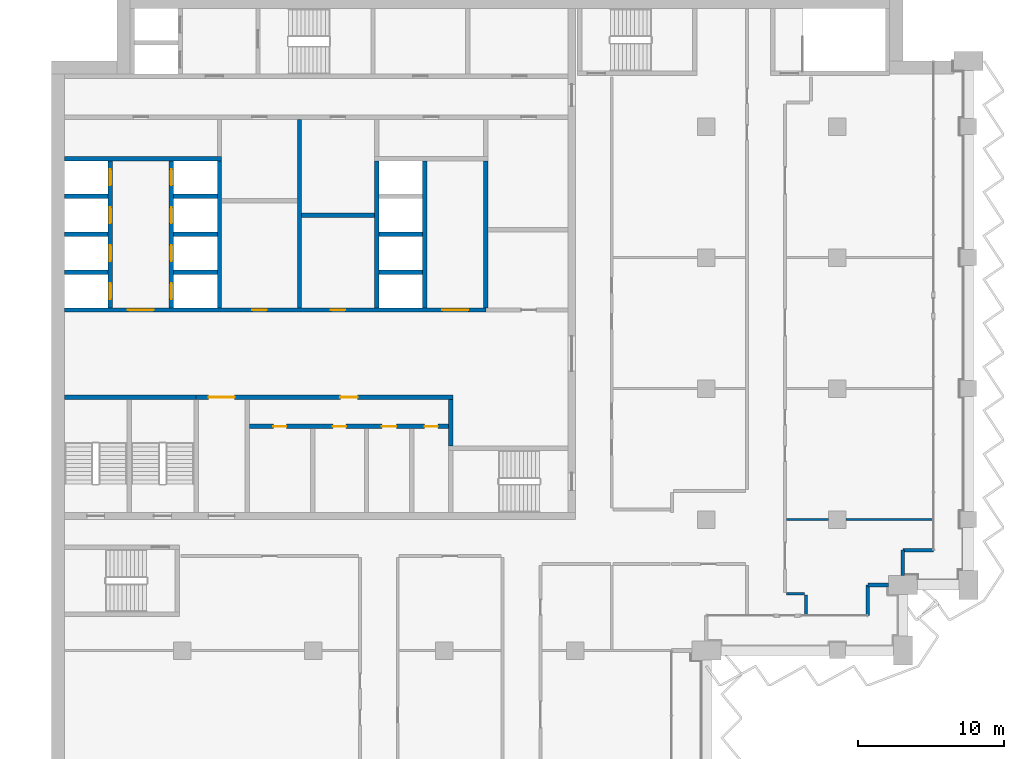
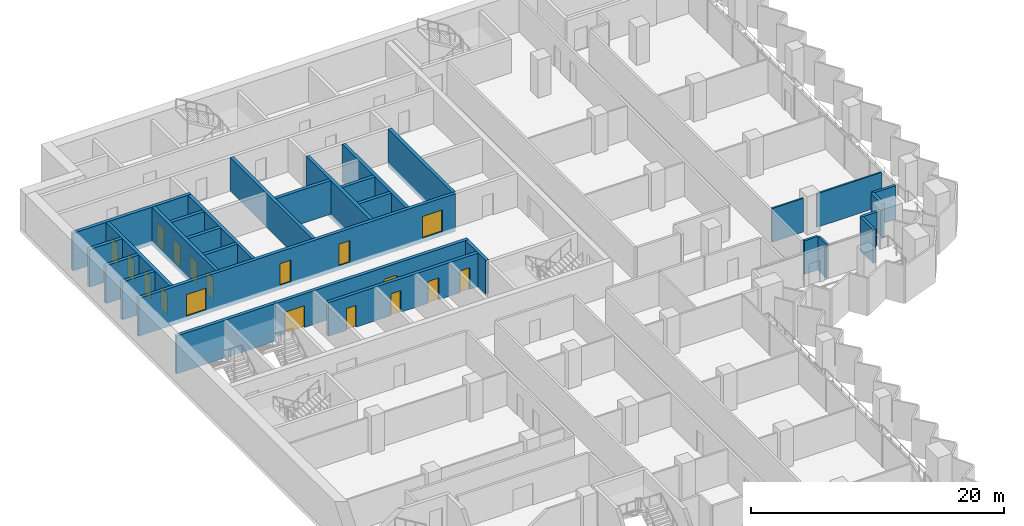
# One storey, part 13 of 22: 30 walls, 18 doors, 18 openings.
"""IFC4 building model written with IfcOpenShell, lengths in metres."""

import ifcopenshell
import ifcopenshell.guid

model = None  # the IFC model being written
_history = None  # IfcOwnerHistory: only IFC2X3 demands one
_inside = {}  # id of a spatial element -> (the spatial element, [elements in it])
_under = {}  # id of a project, library or spatial element -> (it, [spatial elements below it])
_declared = {}  # id of a project -> (the project, [libraries it declares])
_typed = {}  # id of a type object -> (the type object, [elements of that type])
_made_of = {}  # id of a material, layer set ... -> (it, [elements and type objects made of it])


def new_model(schema):
    """Start an empty IFC model of exactly this schema.

    Asked for "IFC4X3", IfcOpenShell would pick the latest addendum, in which some entities
    have other attributes; the version numbers below select the first issue.
    IFC2X3 requires an IfcOwnerHistory on every rooted entity: one is made here for all.
    """
    global model, _history
    if schema == "IFC4X3":
        model = ifcopenshell.file(schema_version=(4, 3, 0, 0))
    else:
        model = ifcopenshell.file(schema=schema)
    _inside.clear()
    _under.clear()
    _declared.clear()
    _typed.clear()
    _made_of.clear()
    _history = None
    if model.schema == "IFC2X3":
        org = make("IfcOrganization", Name="unknown")
        user = make(
            "IfcPersonAndOrganization",
            ThePerson=make("IfcPerson", FamilyName="unknown"),
            TheOrganization=org,
        )
        app = make(
            "IfcApplication",
            ApplicationDeveloper=org,
            Version="unknown",
            ApplicationFullName="unknown",
            ApplicationIdentifier="unknown",
        )
        _history = make(
            "IfcOwnerHistory",
            OwningUser=user,
            OwningApplication=app,
            ChangeAction="ADDED",
            CreationDate=0,
        )
    return model


def make(cls, **values):
    """One entity of the class cls with the attributes given. An attribute that is None is left unset."""
    return model.create_entity(
        cls, **{name: value for name, value in values.items() if value is not None}
    )


def rooted(cls, **values):
    """An entity with a GlobalId (a new one), such as an element, a storey or a relation."""
    return make(cls, GlobalId=ifcopenshell.guid.new(), OwnerHistory=_history, **values)


def si_unit(unit_type, name, prefix=None):
    """IfcSIUnit, for example si_unit("LENGTHUNIT", "METRE", prefix="MILLI")."""
    return make("IfcSIUnit", UnitType=unit_type, Prefix=prefix, Name=name)


def assignment(units):
    """IfcUnitAssignment: the units of a project."""
    return None if units is None else make("IfcUnitAssignment", Units=units)


def point(xyz):
    """IfcCartesianPoint."""
    return None if xyz is None else make("IfcCartesianPoint", Coordinates=xyz)


def direction(xyz):
    """IfcDirection."""
    return None if xyz is None else make("IfcDirection", DirectionRatios=xyz)


def frame(location, z_axis=None, x_axis=None):
    """IfcAxis2Placement3D, a coordinate frame: its origin and axes. An axis left out is left unset."""
    return make(
        "IfcAxis2Placement3D",
        Location=point(location),
        Axis=direction(z_axis),
        RefDirection=direction(x_axis),
    )


def frame_2d(location, x_axis=None):
    """IfcAxis2Placement2D, a coordinate frame in the plane: its origin and x axis."""
    return make(
        "IfcAxis2Placement2D", Location=point(location), RefDirection=direction(x_axis)
    )


def origin():
    """The frame at (0, 0, 0) with its axes left unset."""
    return frame((0.0, 0.0, 0.0))


def place(relative_to, where):
    """IfcLocalPlacement: puts the frame where relative to a parent placement (None: the world)."""
    return make(
        "IfcLocalPlacement", PlacementRelTo=relative_to, RelativePlacement=where
    )


def context(
    kind, dimensions, precision=None, world=None, true_north=None, identifier=None
):
    """IfcGeometricRepresentationContext, for example the 3D "Model" context."""
    return make(
        "IfcGeometricRepresentationContext",
        ContextIdentifier=identifier,
        ContextType=kind,
        CoordinateSpaceDimension=dimensions,
        Precision=precision,
        WorldCoordinateSystem=world,
        TrueNorth=true_north,
    )


def subcontext(parent, identifier, kind, view, scale=None):
    """IfcGeometricRepresentationSubContext, for example "Body" below "Model"."""
    return make(
        "IfcGeometricRepresentationSubContext",
        ContextIdentifier=identifier,
        ContextType=kind,
        ParentContext=parent,
        TargetScale=scale,
        TargetView=view,
    )


def project(units=None, contexts=None):
    """IfcProject with its units and contexts."""
    return rooted(
        "IfcProject",
        Name="project",
        RepresentationContexts=contexts,
        UnitsInContext=assignment(units),
    )


def spatial(cls, under=None, at=None, **own):
    """A site, building, storey or space (cls), placed at a placement, below another one or the project."""
    s = rooted(cls, ObjectPlacement=at, **own)
    if under is not None:
        _under.setdefault(under.id(), (under, []))[1].append(s)
    return s


def profile(cls, at=None, kind="AREA", **sizes):
    """A parametric profile (cls). Its sizes go by their IFC names, for example OverallWidth=200.0."""
    return make(cls, ProfileType=kind, Position=at, **sizes)


def rectangle(**sizes):
    """IfcRectangleProfileDef."""
    return profile("IfcRectangleProfileDef", **sizes)


def extrude(swept, where, along, depth):
    """IfcExtrudedAreaSolid: the profile swept, set in the frame where, extruded along a direction by depth."""
    return make(
        "IfcExtrudedAreaSolid",
        SweptArea=swept,
        Position=where,
        ExtrudedDirection=direction(along),
        Depth=depth,
    )


def shape(context_of_items, identifier, shape_type, items):
    """IfcShapeRepresentation: the items that make up one representation, for example the "Body"."""
    return make(
        "IfcShapeRepresentation",
        ContextOfItems=context_of_items,
        RepresentationIdentifier=identifier,
        RepresentationType=shape_type,
        Items=items,
    )


def material(Name=None, Category=None):
    """IfcMaterial."""
    return make("IfcMaterial", Name=Name, Category=Category)


def layer(
    of_material, thickness, ventilated=None, Name=None, Category=None, Priority=None
):
    """IfcMaterialLayer: one layer of a wall or slab, of a material (None: an air gap)."""
    return make(
        "IfcMaterialLayer",
        Material=of_material,
        LayerThickness=thickness,
        IsVentilated=ventilated,
        Name=Name,
        Category=Category,
        Priority=Priority,
    )


def layer_set(layers, Name=None):
    """IfcMaterialLayerSet."""
    return make("IfcMaterialLayerSet", MaterialLayers=layers, LayerSetName=Name)


def made_of(thing, what):
    """Note that an element or type object is made of a material, layer set ...; save() writes the relation."""
    if what is not None:
        _made_of.setdefault(what.id(), (what, []))[1].append(thing)
    return thing


def type_object(cls, material=None, **own):
    """A type object (cls), such as IfcWallType, which elements share."""
    return made_of(rooted(cls, **own), material)


def element(
    cls,
    number,
    at=None,
    inside=None,
    cuts=None,
    type_object=None,
    material=None,
    context=None,
    identifier="Body",
    shape_type=None,
    held_by="IfcProductDefinitionShape",
    body=None,
    shapes=None,
    **own,
):
    """One element of the class cls, such as IfcWall. Its Tag is "e" and its number.

    at: its placement. inside: the storey or other place that contains it. cuts: it is an
    opening in that element (IfcRelVoidsElement). A single representation is given by context,
    identifier, shape_type and body (its items); several are given by shapes. held_by: the class
    of the entity that holds the representations. save() writes the other relations.
    """
    e = rooted(cls, Tag="e%d" % number, ObjectPlacement=at, **own)
    if body is not None:
        shapes = [shape(context, identifier, shape_type, body)]
    if shapes is not None:
        e.Representation = make(held_by, Representations=shapes)
    if inside is not None:
        _inside.setdefault(inside.id(), (inside, []))[1].append(e)
    if cuts is not None:
        rooted(
            "IfcRelVoidsElement", RelatingBuildingElement=cuts, RelatedOpeningElement=e
        )
    if type_object is not None:
        _typed.setdefault(type_object.id(), (type_object, []))[1].append(e)
    return made_of(e, material)


def fill(opening, filler):
    """IfcRelFillsElement: the door or window that sits in an opening."""
    return rooted(
        "IfcRelFillsElement",
        RelatingOpeningElement=opening,
        RelatedBuildingElement=filler,
    )


def aggregate(whole, parts):
    """IfcRelAggregates: a whole, such as a stair, and the parts it consists of."""
    return rooted("IfcRelAggregates", RelatingObject=whole, RelatedObjects=parts)


def save(model, path):
    """Write the relations noted so far, then the file.

    IfcRelAggregates (storeys below a building ...), IfcRelContainedInSpatialStructure (elements
    in a storey), IfcRelDefinesByType, IfcRelAssociatesMaterial and IfcRelDeclares: one each for
    every whole, place, type object, material and project.
    """
    for whole, parts in _under.values():
        aggregate(whole, parts)
    for where, things in _inside.values():
        rooted(
            "IfcRelContainedInSpatialStructure",
            RelatedElements=things,
            RelatingStructure=where,
        )
    for kind, things in _typed.values():
        rooted("IfcRelDefinesByType", RelatedObjects=things, RelatingType=kind)
    for what, things in _made_of.values():
        rooted("IfcRelAssociatesMaterial", RelatedObjects=things, RelatingMaterial=what)
    for by, libraries in _declared.values():
        rooted("IfcRelDeclares", RelatingContext=by, RelatedDefinitions=libraries)
    model.write(path)


model = new_model("IFC4")

# Units and contexts
model_context = context("Model", 3, precision=1e-05, world=origin(), true_north=direction((0.0, 1.0)))
body_context = subcontext(model_context, "Body", "Model", "MODEL_VIEW")
ifc_project = project(units=[si_unit("LENGTHUNIT", "METRE"), si_unit("AREAUNIT", "SQUARE_METRE"), si_unit("VOLUMEUNIT", "CUBIC_METRE"), si_unit("PLANEANGLEUNIT", "RADIAN"), si_unit("MASSUNIT", "GRAM", prefix="KILO")], contexts=[model_context])

# Site, building, storey
site_placement = place(None, origin())
site = spatial("IfcSite", under=ifc_project, at=site_placement, CompositionType="ELEMENT")
building_placement = place(site_placement, origin())
building = spatial("IfcBuilding", under=site, at=building_placement, Name="Hunhe Ridgeline Campus", CompositionType="ELEMENT")
storey_placement = place(building_placement, frame((0.0, 0.0, 174.5)))
storey = spatial("IfcBuildingStorey", under=building, at=storey_placement, Name="L44", CompositionType="ELEMENT", Elevation=174.5)

# Wall, openings, doors
ifc_material_1 = material(Name="Masonry concrete blockwork", Category="masonry")
ifc_layer_1 = layer(ifc_material_1, 0.300048828125)
ifc_layer_set_1 = layer_set([ifc_layer_1], Name="Core room partition 300 concrete block")
wall_type_1 = type_object("IfcWallType", Name="Core room partition 300 concrete block", PredefinedType="PARTITIONING", material=ifc_layer_set_1)
wall_1_placement = place(storey_placement, frame((13.60009765625, 69.39990234375, 0.0), z_axis=(0.0, 0.0, 1.0), x_axis=(1.0, 0.0, 0.0)))
wall_1 = element("IfcWall", 1, at=wall_1_placement, inside=storey, type_object=wall_type_1, Name="L44 core partition 9", PredefinedType="PARTITIONING", context=body_context, shape_type="SweptSolid", body=[
    extrude(rectangle(XDim=13.699951171875, YDim=0.300048828125, at=frame_2d((6.85009765625, 0.0))), origin(), (0.0, 0.0, 1.0), 3.25),
])
opening_1_placement = place(wall_1_placement, frame((1.64990234375, 0.0, 0.0)))
opening_1 = element("IfcOpeningElement", 2, at=opening_1_placement, cuts=wall_1, Name="Opening CD8", PredefinedType="OPENING", context=body_context, shape_type="SweptSolid", body=[
    extrude(rectangle(XDim=0.89990234375, YDim=2.10009765625, at=frame_2d((0.449951171875, 1.050048828125))), frame((0.0, 0.14990234375, 0.0), z_axis=(0.0, -1.0, 0.0), x_axis=(1.0, 0.0, 0.0)), (0.0, 0.0, 1.0), 0.300048828125),
])
opening_2_placement = place(wall_1_placement, frame((5.75, 0.0, 0.0)))
opening_2 = element("IfcOpeningElement", 3, at=opening_2_placement, cuts=wall_1, Name="Opening CD9", PredefinedType="OPENING", context=body_context, shape_type="SweptSolid", body=[
    extrude(rectangle(XDim=0.89990234375, YDim=2.10009765625, at=frame_2d((0.449951171875, 1.050048828125))), frame((0.0, 0.14990234375, 0.0), z_axis=(0.0, -1.0, 0.0), x_axis=(1.0, 0.0, 0.0)), (0.0, 0.0, 1.0), 0.300048828125),
])
opening_3_placement = place(wall_1_placement, frame((9.10009765625, 0.0, 0.0)))
opening_3 = element("IfcOpeningElement", 4, at=opening_3_placement, cuts=wall_1, Name="Opening CD10", PredefinedType="OPENING", context=body_context, shape_type="SweptSolid", body=[
    extrude(rectangle(XDim=1.0, YDim=2.10009765625, at=frame_2d((0.5, 1.050048828125))), frame((0.0, 0.14990234375, 0.0), z_axis=(0.0, -1.0, 0.0), x_axis=(1.0, 0.0, 0.0)), (0.0, 0.0, 1.0), 0.300048828125),
])
opening_4_placement = place(wall_1_placement, frame((12.050048828125, 0.0, 0.0)))
opening_4 = element("IfcOpeningElement", 5, at=opening_4_placement, cuts=wall_1, Name="Opening CD11", PredefinedType="OPENING", context=body_context, shape_type="SweptSolid", body=[
    extrude(rectangle(XDim=0.89990234375, YDim=2.10009765625, at=frame_2d((0.449951171875, 1.050048828125))), frame((0.0, 0.14990234375, 0.0), z_axis=(0.0, -1.0, 0.0), x_axis=(1.0, 0.0, 0.0)), (0.0, 0.0, 1.0), 0.300048828125),
])
ifc_material_2 = material(Name="Solid core timber door leaf", Category="wood")
door_type_1 = type_object("IfcDoorType", Name="Timber door 1000x2100", OperationType="SINGLE_SWING_LEFT", PredefinedType="DOOR", material=ifc_material_2)
door_1_placement = place(opening_3_placement, frame((1.0, 0.0, 0.0), z_axis=(0.0, 0.0, 1.0), x_axis=(-1.0, 0.0, 0.0)))
door_1 = element("IfcDoor", 6, at=door_1_placement, inside=storey, type_object=door_type_1, Name="L44 door WC3", OperationType="SINGLE_SWING_RIGHT", OverallHeight=2.10009765625, OverallWidth=1.0, PredefinedType="DOOR", context=body_context, shape_type="SweptSolid", body=[
    extrude(rectangle(XDim=1.0, YDim=2.10009765625, at=frame_2d((0.5, 1.050048828125))), frame((0.0, 0.02490234375, 0.0), z_axis=(0.0, -1.0, 0.0), x_axis=(1.0, 0.0, 0.0)), (0.0, 0.0, 1.0), 0.050048828125),
])
fill(opening_3, door_1)
door_type_2 = type_object("IfcDoorType", Name="Timber door 900x2100", OperationType="SINGLE_SWING_LEFT", PredefinedType="DOOR", material=ifc_material_2)
door_2_placement = place(opening_1_placement, frame((0.89990234375, 0.0, 0.0), z_axis=(0.0, 0.0, 1.0), x_axis=(-1.0, 0.0, 0.0)))
door_2 = element("IfcDoor", 7, at=door_2_placement, inside=storey, type_object=door_type_2, Name="L44 door WC1", OperationType="SINGLE_SWING_RIGHT", OverallHeight=2.10009765625, OverallWidth=0.89990234375, PredefinedType="DOOR", context=body_context, shape_type="SweptSolid", body=[
    extrude(rectangle(XDim=0.89990234375, YDim=2.10009765625, at=frame_2d((0.449951171875, 1.050048828125))), frame((0.0, 0.02490234375, 0.0), z_axis=(0.0, -1.0, 0.0), x_axis=(1.0, 0.0, 0.0)), (0.0, 0.0, 1.0), 0.050048828125),
])
fill(opening_1, door_2)
door_3_placement = place(opening_2_placement, frame((0.89990234375, 0.0, 0.0), z_axis=(0.0, 0.0, 1.0), x_axis=(-1.0, 0.0, 0.0)))
door_3 = element("IfcDoor", 8, at=door_3_placement, inside=storey, type_object=door_type_2, Name="L44 door WC2", OperationType="SINGLE_SWING_LEFT", OverallHeight=2.10009765625, OverallWidth=0.89990234375, PredefinedType="DOOR", context=body_context, shape_type="SweptSolid", body=[
    extrude(rectangle(XDim=0.89990234375, YDim=2.10009765625, at=frame_2d((0.449951171875, 1.050048828125))), frame((0.0, 0.02490234375, 0.0), z_axis=(0.0, -1.0, 0.0), x_axis=(1.0, 0.0, 0.0)), (0.0, 0.0, 1.0), 0.050048828125),
])
fill(opening_2, door_3)
door_4_placement = place(opening_4_placement, frame((0.89990234375, 0.0, 0.0), z_axis=(0.0, 0.0, 1.0), x_axis=(-1.0, 0.0, 0.0)))
door_4 = element("IfcDoor", 9, at=door_4_placement, inside=storey, type_object=door_type_2, Name="L44 door WC4", OperationType="SINGLE_SWING_LEFT", OverallHeight=2.10009765625, OverallWidth=0.89990234375, PredefinedType="DOOR", context=body_context, shape_type="SweptSolid", body=[
    extrude(rectangle(XDim=0.89990234375, YDim=2.10009765625, at=frame_2d((0.449951171875, 1.050048828125))), frame((0.0, 0.02490234375, 0.0), z_axis=(0.0, -1.0, 0.0), x_axis=(1.0, 0.0, 0.0)), (0.0, 0.0, 1.0), 0.050048828125),
])
fill(opening_4, door_4)

wall_2_placement = place(storey_placement, frame((9.949951171875, 71.39990234375, 0.0), z_axis=(0.0, 0.0, 1.0), x_axis=(1.0, 0.0, 0.0)))
wall_2 = element("IfcWall", 10, at=wall_2_placement, inside=storey, type_object=wall_type_1, Name="L44 core partition 11", PredefinedType="PARTITIONING", context=body_context, shape_type="SweptSolid", body=[
    extrude(rectangle(XDim=17.650146484375, YDim=0.300048828125, at=frame_2d((8.8251953125, 0.0))), origin(), (0.0, 0.0, 1.0), 3.25),
])
opening_5_placement = place(wall_2_placement, frame((0.85009765625, 0.0, 0.0)))
opening_5 = element("IfcOpeningElement", 11, at=opening_5_placement, cuts=wall_2, Name="Opening CD7", PredefinedType="OPENING", context=body_context, shape_type="SweptSolid", body=[
    extrude(rectangle(XDim=1.800048828125, YDim=2.10009765625, at=frame_2d((0.89990234375, 1.050048828125))), frame((0.0, 0.14990234375, 0.0), z_axis=(0.0, -1.0, 0.0), x_axis=(1.0, 0.0, 0.0)), (0.0, 0.0, 1.0), 0.300048828125),
])
opening_6_placement = place(wall_2_placement, frame((9.89990234375, 0.0, 0.0)))
opening_6 = element("IfcOpeningElement", 12, at=opening_6_placement, cuts=wall_2, Name="Opening CD12", PredefinedType="OPENING", context=body_context, shape_type="SweptSolid", body=[
    extrude(rectangle(XDim=1.199951171875, YDim=2.10009765625, at=frame_2d((0.60009765625, 1.050048828125))), frame((0.0, 0.14990234375, 0.0), z_axis=(0.0, -1.0, 0.0), x_axis=(1.0, 0.0, 0.0)), (0.0, 0.0, 1.0), 0.300048828125),
])
ifc_material_3 = material(Name="Anodised aluminium and glass", Category="aluminium")
door_type_3 = type_object("IfcDoorType", Name="Glazed double door 1800x2100", OperationType="DOUBLE_DOOR_SINGLE_SWING", PredefinedType="DOOR", material=ifc_material_3)
door_5_placement = place(opening_5_placement, origin())
door_5 = element("IfcDoor", 13, at=door_5_placement, inside=storey, type_object=door_type_3, Name="L44 door VEST-HALL", OperationType="DOUBLE_DOOR_SINGLE_SWING", OverallHeight=2.10009765625, OverallWidth=1.800048828125, PredefinedType="DOOR", context=body_context, shape_type="SweptSolid", body=[
    extrude(rectangle(XDim=1.800048828125, YDim=2.10009765625, at=frame_2d((0.89990234375, 1.050048828125))), frame((0.0, 0.02490234375, 0.0), z_axis=(0.0, -1.0, 0.0), x_axis=(1.0, 0.0, 0.0)), (0.0, 0.0, 1.0), 0.050048828125),
])
fill(opening_5, door_5)
door_type_4 = type_object("IfcDoorType", Name="Timber door 1200x2100", OperationType="SINGLE_SWING_LEFT", PredefinedType="DOOR", material=ifc_material_2)
door_6_placement = place(opening_6_placement, origin())
door_6 = element("IfcDoor", 14, at=door_6_placement, inside=storey, type_object=door_type_4, Name="L44 door WCL2-HALL", OperationType="SINGLE_SWING_LEFT", OverallHeight=2.10009765625, OverallWidth=1.199951171875, PredefinedType="DOOR", context=body_context, shape_type="SweptSolid", body=[
    extrude(rectangle(XDim=1.199951171875, YDim=2.10009765625, at=frame_2d((0.60009765625, 1.050048828125))), frame((0.0, 0.02490234375, 0.0), z_axis=(0.0, -1.0, 0.0), x_axis=(1.0, 0.0, 0.0)), (0.0, 0.0, 1.0), 0.050048828125),
])
fill(opening_6, door_6)

# Walls
wall_3_placement = place(storey_placement, frame((17.199951171875, 83.89990234375, 0.0), z_axis=(0.0, 0.0, 1.0), x_axis=(1.0, 0.0, 0.0)))
element("IfcWall", 15, at=wall_3_placement, inside=storey, type_object=wall_type_1, Name="L44 core partition 21", PredefinedType="PARTITIONING", context=body_context, shape_type="SweptSolid", body=[
    extrude(rectangle(XDim=5.0, YDim=0.300048828125, at=frame_2d((2.5, 0.0))), origin(), (0.0, 0.0, 1.0), 3.25),
])
wall_4_placement = place(storey_placement, frame((17.050048828125, 77.550048828125, 0.0), z_axis=(0.0, 0.0, 1.0), x_axis=(0.0, 1.0, 0.0)))
element("IfcWall", 16, at=wall_4_placement, inside=storey, type_object=wall_type_1, Name="L44 core partition 45", PredefinedType="PARTITIONING", context=body_context, shape_type="SweptSolid", body=[
    extrude(rectangle(XDim=12.949951171875, YDim=0.300048828125, at=frame_2d((6.47509765625, 0.0))), origin(), (0.0, 0.0, 1.0), 3.25),
])
wall_5_placement = place(storey_placement, frame((27.449951171875, 68.050048828125, 0.0), z_axis=(0.0, 0.0, 1.0), x_axis=(0.0, 1.0, 0.0)))
element("IfcWall", 17, at=wall_5_placement, inside=storey, type_object=wall_type_1, Name="L44 core partition 56", PredefinedType="PARTITIONING", context=body_context, shape_type="SweptSolid", body=[
    extrude(rectangle(XDim=3.199951171875, YDim=0.300048828125, at=frame_2d((1.60009765625, 0.0))), origin(), (0.0, 0.0, 1.0), 3.25),
])
ifc_material_4 = material(Name="Concrete C30", Category="concrete")
ifc_layer_2 = layer(ifc_material_4, 0.25)
ifc_layer_set_2 = layer_set([ifc_layer_2], Name="Corner return wall 250 Concrete C30")
wall_type_2 = type_object("IfcWallType", Name="Corner return wall 250 Concrete C30", PredefinedType="SOLIDWALL", material=ifc_layer_set_2)
wall_6_placement = place(storey_placement, frame((56.09912109375, 56.40087890625, 0.0), z_axis=(0.0, 0.0, 1.0), x_axis=(0.00011626555, 0.999999993241, 0.0)))
element("IfcWall", 18, at=wall_6_placement, inside=storey, type_object=wall_type_2, Name="Corner return wall 4", PredefinedType="SOLIDWALL", context=body_context, shape_type="SweptSolid", body=[
    extrude(rectangle(XDim=2.099853515625, YDim=0.25, at=frame_2d((1.0498046875, 0.0))), origin(), (0.0, 0.0, 1.0), 3.25),
])
wall_7_placement = place(storey_placement, frame((56.099365234375, 58.500732421875, 0.0), z_axis=(0.0, 0.0, 1.0), x_axis=(0.999999984809, 0.000174307127, 0.0)))
element("IfcWall", 19, at=wall_7_placement, inside=storey, type_object=wall_type_2, Name="Corner return wall 5", PredefinedType="SOLIDWALL", context=body_context, shape_type="SweptSolid", body=[
    extrude(rectangle(XDim=1.400634765625, YDim=0.25, at=frame_2d((0.7001953125, 0.0))), origin(), (0.0, 0.0, 1.0), 3.25),
])
wall_8_placement = place(storey_placement, frame((58.4990234375, 59.14990234375, 0.0), z_axis=(0.0, 0.0, 1.0), x_axis=(0.000139450563, 0.999999990277, 0.0)))
element("IfcWall", 20, at=wall_8_placement, inside=storey, type_object=wall_type_2, Name="Corner return wall 6", PredefinedType="SOLIDWALL", context=body_context, shape_type="SweptSolid", body=[
    extrude(rectangle(XDim=1.750732421875, YDim=0.25, at=frame_2d((0.87548828125, 0.0))), origin(), (0.0, 0.0, 1.0), 3.25),
])
wall_9_placement = place(storey_placement, frame((58.499267578125, 60.900634765625, 0.0), z_axis=(0.0, 0.0, 1.0), x_axis=(0.999999993241, 0.00011626555, 0.0)))
element("IfcWall", 21, at=wall_9_placement, inside=storey, type_object=wall_type_2, Name="Corner return wall 7", PredefinedType="SOLIDWALL", context=body_context, shape_type="SweptSolid", body=[
    extrude(rectangle(XDim=2.099853515625, YDim=0.25, at=frame_2d((1.0498046875, 0.0))), origin(), (0.0, 0.0, 1.0), 3.25),
])
ifc_material_5 = material(Name="Gypsum board partition")
ifc_layer_3 = layer(ifc_material_5, 0.199951171875)
ifc_layer_set_3 = layer_set([ifc_layer_3], Name="Corridor partition 200 gypsum board on steel studs")
wall_type_3 = type_object("IfcWallType", Name="Corridor partition 200 gypsum board on steel studs", PredefinedType="PARTITIONING", material=ifc_layer_set_3)
wall_10_placement = place(storey_placement, frame((50.5, 57.90087890625, 0.0), z_axis=(0.0, 0.0, 1.0), x_axis=(1.0, 0.0, 0.0)))
element("IfcWall", 22, at=wall_10_placement, inside=storey, type_object=wall_type_3, Name="F-L44-wall-042", PredefinedType="PARTITIONING", context=body_context, shape_type="SweptSolid", body=[
    extrude(rectangle(XDim=1.2490234375, YDim=0.199951171875, at=frame_2d((0.62451171875, 0.0))), origin(), (0.0, 0.0, 1.0), 3.25),
])
wall_11_placement = place(storey_placement, frame((51.84912109375, 57.801025390625, 0.0), z_axis=(0.0, 0.0, 1.0), x_axis=(0.0, -1.0, 0.0)))
element("IfcWall", 23, at=wall_11_placement, inside=storey, type_object=wall_type_3, Name="F-L44-wall-079", PredefinedType="PARTITIONING", context=body_context, shape_type="SweptSolid", body=[
    extrude(rectangle(XDim=1.345947265625, YDim=0.199951171875, at=frame_2d((0.6728515625, 0.0))), origin(), (0.0, 0.0, 1.0), 3.25),
])
ifc_material_6 = material(Name="Concrete C70", Category="concrete")
ifc_layer_4 = layer(ifc_material_6, 0.300048828125)
ifc_layer_set_4 = layer_set([ifc_layer_4], Name="Lobby wall 300 reinforced concrete C70")
wall_type_4 = type_object("IfcWallType", Name="Lobby wall 300 reinforced concrete C70", PredefinedType="SOLIDWALL", material=ifc_layer_set_4)
wall_12_placement = place(storey_placement, frame((29.85009765625, 77.550048828125, -0.39990234375), z_axis=(0.0, 0.0, 1.0), x_axis=(0.0, 1.0, 0.0)))
element("IfcWall", 24, at=wall_12_placement, inside=storey, type_object=wall_type_4, Name="L44 core wall 58", PredefinedType="SOLIDWALL", context=body_context, shape_type="SweptSolid", body=[
    extrude(rectangle(XDim=10.099853515625, YDim=0.300048828125, at=frame_2d((5.0498046875, 0.0))), origin(), (0.0, 0.0, 1.0), 3.64990234375),
])
ifc_layer_5 = layer(ifc_material_5, 0.14990234375)
ifc_layer_set_5 = layer_set([ifc_layer_5], Name="Room partition 150 gypsum board on steel studs")
wall_type_5 = type_object("IfcWallType", Name="Room partition 150 gypsum board on steel studs", PredefinedType="PARTITIONING", material=ifc_layer_set_5)
wall_13_placement = place(storey_placement, frame((50.5, 63.0, 0.0), z_axis=(0.0, 0.0, 1.0), x_axis=(1.0, 0.0, 0.0)))
element("IfcWall", 25, at=wall_13_placement, inside=storey, type_object=wall_type_5, Name="F-L44-wall-048", PredefinedType="PARTITIONING", context=body_context, shape_type="SweptSolid", body=[
    extrude(rectangle(XDim=2.89990234375, YDim=0.14990234375, at=frame_2d((1.449951171875, 0.0))), origin(), (0.0, 0.0, 1.0), 3.25),
])
wall_14_placement = place(storey_placement, frame((54.60009765625, 63.0, 0.0), z_axis=(0.0, 0.0, 1.0), x_axis=(1.0, 0.0, 0.0)))
element("IfcWall", 26, at=wall_14_placement, inside=storey, type_object=wall_type_5, Name="F-L44-wall-049", PredefinedType="PARTITIONING", context=body_context, shape_type="SweptSolid", body=[
    extrude(rectangle(XDim=5.94482421875, YDim=0.14990234375, at=frame_2d((2.972412109375, 0.0))), origin(), (0.0, 0.0, 1.0), 3.25),
])

# Wall, openings, doors
ifc_layer_6 = layer(ifc_material_6, 0.300048828125)
ifc_layer_set_6 = layer_set([ifc_layer_6], Name="Shaft wall 300 reinforced concrete C70")
wall_type_6 = type_object("IfcWallType", Name="Shaft wall 300 reinforced concrete C70", PredefinedType="SOLIDWALL", material=ifc_layer_set_6)
wall_15_placement = place(storey_placement, frame((0.89990234375, 77.39990234375, -0.39990234375), z_axis=(0.0, 0.0, 1.0), x_axis=(1.0, 0.0, 0.0)))
wall_15 = element("IfcWall", 27, at=wall_15_placement, inside=storey, type_object=wall_type_6, Name="L44 core wall 12", PredefinedType="SOLIDWALL", context=body_context, shape_type="SweptSolid", body=[
    extrude(rectangle(XDim=28.9501953125, YDim=0.300048828125, at=frame_2d((14.47509765625, 0.0))), origin(), (0.0, 0.0, 1.0), 3.64990234375),
])
opening_7_placement = place(wall_15_placement, frame((4.35009765625, 0.0, 0.39990234375)))
opening_7 = element("IfcOpeningElement", 28, at=opening_7_placement, cuts=wall_15, Name="Opening CD1", PredefinedType="OPENING", context=body_context, shape_type="SweptSolid", body=[
    extrude(rectangle(XDim=1.800048828125, YDim=2.10009765625, at=frame_2d((0.89990234375, 1.050048828125))), frame((0.0, 0.14990234375, 0.0), z_axis=(0.0, -1.0, 0.0), x_axis=(1.0, 0.0, 0.0)), (0.0, 0.0, 1.0), 0.300048828125),
])
opening_8_placement = place(wall_15_placement, frame((25.949951171875, 0.0, 0.39990234375)))
opening_8 = element("IfcOpeningElement", 29, at=opening_8_placement, cuts=wall_15, Name="Opening CD2", PredefinedType="OPENING", context=body_context, shape_type="SweptSolid", body=[
    extrude(rectangle(XDim=1.800048828125, YDim=2.10009765625, at=frame_2d((0.89990234375, 1.050048828125))), frame((0.0, 0.14990234375, 0.0), z_axis=(0.0, -1.0, 0.0), x_axis=(1.0, 0.0, 0.0)), (0.0, 0.0, 1.0), 0.300048828125),
])
opening_9_placement = place(wall_15_placement, frame((12.89990234375, 0.0, 0.39990234375)))
opening_9 = element("IfcOpeningElement", 30, at=opening_9_placement, cuts=wall_15, Name="Opening CD28", PredefinedType="OPENING", context=body_context, shape_type="SweptSolid", body=[
    extrude(rectangle(XDim=1.0, YDim=2.10009765625, at=frame_2d((0.5, 1.050048828125))), frame((0.0, 0.14990234375, 0.0), z_axis=(0.0, -1.0, 0.0), x_axis=(1.0, 0.0, 0.0)), (0.0, 0.0, 1.0), 0.300048828125),
])
opening_10_placement = place(wall_15_placement, frame((18.300048828125, 0.0, 0.39990234375)))
opening_10 = element("IfcOpeningElement", 31, at=opening_10_placement, cuts=wall_15, Name="Opening CD30", PredefinedType="OPENING", context=body_context, shape_type="SweptSolid", body=[
    extrude(rectangle(XDim=1.0, YDim=2.10009765625, at=frame_2d((0.5, 1.050048828125))), frame((0.0, 0.14990234375, 0.0), z_axis=(0.0, -1.0, 0.0), x_axis=(1.0, 0.0, 0.0)), (0.0, 0.0, 1.0), 0.300048828125),
])
ifc_material_7 = material(Name="Hollow metal fire door leaf")
door_type_5 = type_object("IfcDoorType", Name="Lobby door 1800x2100 FD60", OperationType="SINGLE_SWING_LEFT", PredefinedType="DOOR", material=ifc_material_7)
door_7_placement = place(opening_7_placement, frame((1.800048828125, 0.0, 0.0), z_axis=(0.0, 0.0, 1.0), x_axis=(-1.0, 0.0, 0.0)))
door_7 = element("IfcDoor", 32, at=door_7_placement, inside=storey, type_object=door_type_5, Name="L44 door LOB-LR", OperationType="SINGLE_SWING_RIGHT", OverallHeight=2.10009765625, OverallWidth=1.800048828125, PredefinedType="DOOR", context=body_context, shape_type="SweptSolid", body=[
    extrude(rectangle(XDim=1.800048828125, YDim=2.10009765625, at=frame_2d((0.89990234375, 1.050048828125))), frame((0.0, 0.02490234375, 0.0), z_axis=(0.0, -1.0, 0.0), x_axis=(1.0, 0.0, 0.0)), (0.0, 0.0, 1.0), 0.050048828125),
])
fill(opening_7, door_7)
door_8_placement = place(opening_8_placement, frame((1.800048828125, 0.0, 0.0), z_axis=(0.0, 0.0, 1.0), x_axis=(-1.0, 0.0, 0.0)))
door_8 = element("IfcDoor", 33, at=door_8_placement, inside=storey, type_object=door_type_5, Name="L44 door LOB-SH", OperationType="SINGLE_SWING_LEFT", OverallHeight=2.10009765625, OverallWidth=1.800048828125, PredefinedType="DOOR", context=body_context, shape_type="SweptSolid", body=[
    extrude(rectangle(XDim=1.800048828125, YDim=2.10009765625, at=frame_2d((0.89990234375, 1.050048828125))), frame((0.0, 0.02490234375, 0.0), z_axis=(0.0, -1.0, 0.0), x_axis=(1.0, 0.0, 0.0)), (0.0, 0.0, 1.0), 0.050048828125),
])
fill(opening_8, door_8)
door_9_placement = place(opening_9_placement, origin())
door_9 = element("IfcDoor", 34, at=door_9_placement, inside=storey, type_object=door_type_1, Name="L44 door VD-HR0", OperationType="SINGLE_SWING_RIGHT", OverallHeight=2.10009765625, OverallWidth=1.0, PredefinedType="DOOR", context=body_context, shape_type="SweptSolid", body=[
    extrude(rectangle(XDim=1.0, YDim=2.10009765625, at=frame_2d((0.5, 1.050048828125))), frame((0.0, 0.02490234375, 0.0), z_axis=(0.0, -1.0, 0.0), x_axis=(1.0, 0.0, 0.0)), (0.0, 0.0, 1.0), 0.050048828125),
])
fill(opening_9, door_9)
door_10_placement = place(opening_10_placement, origin())
door_10 = element("IfcDoor", 35, at=door_10_placement, inside=storey, type_object=door_type_1, Name="L44 door VD-HR2", OperationType="SINGLE_SWING_RIGHT", OverallHeight=2.10009765625, OverallWidth=1.0, PredefinedType="DOOR", context=body_context, shape_type="SweptSolid", body=[
    extrude(rectangle(XDim=1.0, YDim=2.10009765625, at=frame_2d((0.5, 1.050048828125))), frame((0.0, 0.02490234375, 0.0), z_axis=(0.0, -1.0, 0.0), x_axis=(1.0, 0.0, 0.0)), (0.0, 0.0, 1.0), 0.050048828125),
])
fill(opening_10, door_10)

# Walls
for number, where, z_axis, x_axis, name in (
    (36, (0.89990234375, 80.0, -0.39990234375), (0.0, 0.0, 1.0), (1.0, 0.0, 0.0), "L44 core wall 14"),
    (37, (8.39990234375, 80.0, -0.39990234375), (0.0, 0.0, 1.0), (1.0, 0.0, 0.0), "L44 core wall 15"),
    (38, (22.5, 80.0, -0.39990234375), (0.0, 0.0, 1.0), (1.0, 0.0, 0.0), "L44 core wall 16"),
    (39, (0.89990234375, 82.60009765625, -0.39990234375), (0.0, 0.0, 1.0), (1.0, 0.0, 0.0), "L44 core wall 17"),
    (40, (8.39990234375, 82.60009765625, -0.39990234375), (0.0, 0.0, 1.0), (1.0, 0.0, 0.0), "L44 core wall 18"),
    (41, (22.5, 82.60009765625, -0.39990234375), (0.0, 0.0, 1.0), (1.0, 0.0, 0.0), "L44 core wall 19"),
    (42, (0.89990234375, 85.199951171875, -0.39990234375), (0.0, 0.0, 1.0), (1.0, 0.0, 0.0), "L44 core wall 23"),
    (43, (8.39990234375, 85.199951171875, -0.39990234375), (0.0, 0.0, 1.0), (1.0, 0.0, 0.0), "L44 core wall 24"),
):
    element("IfcWall", number, at=place(storey_placement, frame(where, z_axis=z_axis, x_axis=x_axis)), inside=storey, type_object=wall_type_6, Name=name, PredefinedType="SOLIDWALL", context=body_context, shape_type="SweptSolid", body=[
        extrude(rectangle(XDim=3.0, YDim=0.300048828125, at=frame_2d((1.5, 0.0))), origin(), (0.0, 0.0, 1.0), 3.64990234375),
    ])
wall_16_placement = place(storey_placement, frame((0.89990234375, 87.800048828125, -0.39990234375), z_axis=(0.0, 0.0, 1.0), x_axis=(1.0, 0.0, 0.0)))
element("IfcWall", 44, at=wall_16_placement, inside=storey, type_object=wall_type_6, Name="L44 core wall 26", PredefinedType="SOLIDWALL", context=body_context, shape_type="SweptSolid", body=[
    extrude(rectangle(XDim=10.800048828125, YDim=0.300048828125, at=frame_2d((5.39990234375, 0.0))), origin(), (0.0, 0.0, 1.0), 3.64990234375),
])

# Wall, openings, doors
wall_17_placement = place(storey_placement, frame((4.050048828125, 77.550048828125, -0.39990234375), z_axis=(0.0, 0.0, 1.0), x_axis=(0.0, 1.0, 0.0)))
wall_17 = element("IfcWall", 45, at=wall_17_placement, inside=storey, type_object=wall_type_6, Name="L44 core wall 33", PredefinedType="SOLIDWALL", context=body_context, shape_type="SweptSolid", body=[
    extrude(rectangle(XDim=10.099853515625, YDim=0.300048828125, at=frame_2d((5.0498046875, 0.0))), origin(), (0.0, 0.0, 1.0), 3.64990234375),
])
opening_11_placement = place(wall_17_placement, frame((0.60009765625, 0.0, 0.39990234375)))
opening_11 = element("IfcOpeningElement", 46, at=opening_11_placement, cuts=wall_17, Name="Opening LD-LR1", PredefinedType="OPENING", context=body_context, shape_type="SweptSolid", body=[
    extrude(rectangle(XDim=1.10009765625, YDim=2.10009765625, at=frame_2d((0.550048828125, 1.050048828125))), frame((0.0, 0.14990234375, 0.0), z_axis=(0.0, -1.0, 0.0), x_axis=(1.0, 0.0, 0.0)), (0.0, 0.0, 1.0), 0.300048828125),
])
opening_12_placement = place(wall_17_placement, frame((3.199951171875, 0.0, 0.39990234375)))
opening_12 = element("IfcOpeningElement", 47, at=opening_12_placement, cuts=wall_17, Name="Opening LD-LR2", PredefinedType="OPENING", context=body_context, shape_type="SweptSolid", body=[
    extrude(rectangle(XDim=1.10009765625, YDim=2.10009765625, at=frame_2d((0.550048828125, 1.050048828125))), frame((0.0, 0.14990234375, 0.0), z_axis=(0.0, -1.0, 0.0), x_axis=(1.0, 0.0, 0.0)), (0.0, 0.0, 1.0), 0.300048828125),
])
opening_13_placement = place(wall_17_placement, frame((5.800048828125, 0.0, 0.39990234375)))
opening_13 = element("IfcOpeningElement", 48, at=opening_13_placement, cuts=wall_17, Name="Opening LD-LR3", PredefinedType="OPENING", context=body_context, shape_type="SweptSolid", body=[
    extrude(rectangle(XDim=1.10009765625, YDim=2.10009765625, at=frame_2d((0.550048828125, 1.050048828125))), frame((0.0, 0.14990234375, 0.0), z_axis=(0.0, -1.0, 0.0), x_axis=(1.0, 0.0, 0.0)), (0.0, 0.0, 1.0), 0.300048828125),
])
opening_14_placement = place(wall_17_placement, frame((8.39990234375, 0.0, 0.39990234375)))
opening_14 = element("IfcOpeningElement", 49, at=opening_14_placement, cuts=wall_17, Name="Opening LD-LR4", PredefinedType="OPENING", context=body_context, shape_type="SweptSolid", body=[
    extrude(rectangle(XDim=1.10009765625, YDim=2.10009765625, at=frame_2d((0.550048828125, 1.050048828125))), frame((0.0, 0.14990234375, 0.0), z_axis=(0.0, -1.0, 0.0), x_axis=(1.0, 0.0, 0.0)), (0.0, 0.0, 1.0), 0.300048828125),
])
ifc_material_8 = material(Name="Stainless steel sliding leaves", Category="steel")
door_type_6 = type_object("IfcDoorType", Name="Landing door 1100x2100 FD120", OperationType="SLIDING_TO_LEFT", PredefinedType="DOOR", material=ifc_material_8)
door_11_placement = place(opening_11_placement, origin())
door_11 = element("IfcDoor", 50, at=door_11_placement, inside=storey, type_object=door_type_6, Name="L44 landing door LR1", OperationType="SLIDING_TO_RIGHT", OverallHeight=2.10009765625, OverallWidth=1.10009765625, PredefinedType="DOOR", context=body_context, shape_type="SweptSolid", body=[
    extrude(rectangle(XDim=1.10009765625, YDim=2.10009765625, at=frame_2d((0.550048828125, 1.050048828125))), frame((0.0, 0.02490234375, 0.0), z_axis=(0.0, -1.0, 0.0), x_axis=(1.0, 0.0, 0.0)), (0.0, 0.0, 1.0), 0.050048828125),
])
fill(opening_11, door_11)
door_12_placement = place(opening_12_placement, origin())
door_12 = element("IfcDoor", 51, at=door_12_placement, inside=storey, type_object=door_type_6, Name="L44 landing door LR2", OperationType="SLIDING_TO_LEFT", OverallHeight=2.10009765625, OverallWidth=1.10009765625, PredefinedType="DOOR", context=body_context, shape_type="SweptSolid", body=[
    extrude(rectangle(XDim=1.10009765625, YDim=2.10009765625, at=frame_2d((0.550048828125, 1.050048828125))), frame((0.0, 0.02490234375, 0.0), z_axis=(0.0, -1.0, 0.0), x_axis=(1.0, 0.0, 0.0)), (0.0, 0.0, 1.0), 0.050048828125),
])
fill(opening_12, door_12)
door_13_placement = place(opening_13_placement, origin())
door_13 = element("IfcDoor", 52, at=door_13_placement, inside=storey, type_object=door_type_6, Name="L44 landing door LR3", OperationType="SLIDING_TO_RIGHT", OverallHeight=2.10009765625, OverallWidth=1.10009765625, PredefinedType="DOOR", context=body_context, shape_type="SweptSolid", body=[
    extrude(rectangle(XDim=1.10009765625, YDim=2.10009765625, at=frame_2d((0.550048828125, 1.050048828125))), frame((0.0, 0.02490234375, 0.0), z_axis=(0.0, -1.0, 0.0), x_axis=(1.0, 0.0, 0.0)), (0.0, 0.0, 1.0), 0.050048828125),
])
fill(opening_13, door_13)
door_14_placement = place(opening_14_placement, origin())
door_14 = element("IfcDoor", 53, at=door_14_placement, inside=storey, type_object=door_type_6, Name="L44 landing door LR4", OperationType="SLIDING_TO_LEFT", OverallHeight=2.10009765625, OverallWidth=1.10009765625, PredefinedType="DOOR", context=body_context, shape_type="SweptSolid", body=[
    extrude(rectangle(XDim=1.10009765625, YDim=2.10009765625, at=frame_2d((0.550048828125, 1.050048828125))), frame((0.0, 0.02490234375, 0.0), z_axis=(0.0, -1.0, 0.0), x_axis=(1.0, 0.0, 0.0)), (0.0, 0.0, 1.0), 0.050048828125),
])
fill(opening_14, door_14)

wall_18_placement = place(storey_placement, frame((8.25, 77.550048828125, -0.39990234375), z_axis=(0.0, 0.0, 1.0), x_axis=(0.0, 1.0, 0.0)))
wall_18 = element("IfcWall", 54, at=wall_18_placement, inside=storey, type_object=wall_type_6, Name="L44 core wall 36", PredefinedType="SOLIDWALL", context=body_context, shape_type="SweptSolid", body=[
    extrude(rectangle(XDim=10.099853515625, YDim=0.300048828125, at=frame_2d((5.0498046875, 0.0))), origin(), (0.0, 0.0, 1.0), 3.64990234375),
])
opening_15_placement = place(wall_18_placement, frame((0.60009765625, 0.0, 0.39990234375)))
opening_15 = element("IfcOpeningElement", 55, at=opening_15_placement, cuts=wall_18, Name="Opening LD-LR5", PredefinedType="OPENING", context=body_context, shape_type="SweptSolid", body=[
    extrude(rectangle(XDim=1.10009765625, YDim=2.10009765625, at=frame_2d((0.550048828125, 1.050048828125))), frame((0.0, 0.14990234375, 0.0), z_axis=(0.0, -1.0, 0.0), x_axis=(1.0, 0.0, 0.0)), (0.0, 0.0, 1.0), 0.300048828125),
])
opening_16_placement = place(wall_18_placement, frame((3.199951171875, 0.0, 0.39990234375)))
opening_16 = element("IfcOpeningElement", 56, at=opening_16_placement, cuts=wall_18, Name="Opening LD-LR6", PredefinedType="OPENING", context=body_context, shape_type="SweptSolid", body=[
    extrude(rectangle(XDim=1.10009765625, YDim=2.10009765625, at=frame_2d((0.550048828125, 1.050048828125))), frame((0.0, 0.14990234375, 0.0), z_axis=(0.0, -1.0, 0.0), x_axis=(1.0, 0.0, 0.0)), (0.0, 0.0, 1.0), 0.300048828125),
])
opening_17_placement = place(wall_18_placement, frame((5.800048828125, 0.0, 0.39990234375)))
opening_17 = element("IfcOpeningElement", 57, at=opening_17_placement, cuts=wall_18, Name="Opening LD-LR7", PredefinedType="OPENING", context=body_context, shape_type="SweptSolid", body=[
    extrude(rectangle(XDim=1.10009765625, YDim=2.10009765625, at=frame_2d((0.550048828125, 1.050048828125))), frame((0.0, 0.14990234375, 0.0), z_axis=(0.0, -1.0, 0.0), x_axis=(1.0, 0.0, 0.0)), (0.0, 0.0, 1.0), 0.300048828125),
])
opening_18_placement = place(wall_18_placement, frame((8.39990234375, 0.0, 0.39990234375)))
opening_18 = element("IfcOpeningElement", 58, at=opening_18_placement, cuts=wall_18, Name="Opening LD-LR8", PredefinedType="OPENING", context=body_context, shape_type="SweptSolid", body=[
    extrude(rectangle(XDim=1.10009765625, YDim=2.10009765625, at=frame_2d((0.550048828125, 1.050048828125))), frame((0.0, 0.14990234375, 0.0), z_axis=(0.0, -1.0, 0.0), x_axis=(1.0, 0.0, 0.0)), (0.0, 0.0, 1.0), 0.300048828125),
])
door_15_placement = place(opening_15_placement, origin())
door_15 = element("IfcDoor", 59, at=door_15_placement, inside=storey, type_object=door_type_6, Name="L44 landing door LR5", OperationType="SLIDING_TO_RIGHT", OverallHeight=2.10009765625, OverallWidth=1.10009765625, PredefinedType="DOOR", context=body_context, shape_type="SweptSolid", body=[
    extrude(rectangle(XDim=1.10009765625, YDim=2.10009765625, at=frame_2d((0.550048828125, 1.050048828125))), frame((0.0, 0.02490234375, 0.0), z_axis=(0.0, -1.0, 0.0), x_axis=(1.0, 0.0, 0.0)), (0.0, 0.0, 1.0), 0.050048828125),
])
fill(opening_15, door_15)
door_16_placement = place(opening_16_placement, origin())
door_16 = element("IfcDoor", 60, at=door_16_placement, inside=storey, type_object=door_type_6, Name="L44 landing door LR6", OperationType="SLIDING_TO_LEFT", OverallHeight=2.10009765625, OverallWidth=1.10009765625, PredefinedType="DOOR", context=body_context, shape_type="SweptSolid", body=[
    extrude(rectangle(XDim=1.10009765625, YDim=2.10009765625, at=frame_2d((0.550048828125, 1.050048828125))), frame((0.0, 0.02490234375, 0.0), z_axis=(0.0, -1.0, 0.0), x_axis=(1.0, 0.0, 0.0)), (0.0, 0.0, 1.0), 0.050048828125),
])
fill(opening_16, door_16)
door_17_placement = place(opening_17_placement, origin())
door_17 = element("IfcDoor", 61, at=door_17_placement, inside=storey, type_object=door_type_6, Name="L44 landing door LR7", OperationType="SLIDING_TO_RIGHT", OverallHeight=2.10009765625, OverallWidth=1.10009765625, PredefinedType="DOOR", context=body_context, shape_type="SweptSolid", body=[
    extrude(rectangle(XDim=1.10009765625, YDim=2.10009765625, at=frame_2d((0.550048828125, 1.050048828125))), frame((0.0, 0.02490234375, 0.0), z_axis=(0.0, -1.0, 0.0), x_axis=(1.0, 0.0, 0.0)), (0.0, 0.0, 1.0), 0.050048828125),
])
fill(opening_17, door_17)
door_18_placement = place(opening_18_placement, origin())
door_18 = element("IfcDoor", 62, at=door_18_placement, inside=storey, type_object=door_type_6, Name="L44 landing door LR8", OperationType="SLIDING_TO_LEFT", OverallHeight=2.10009765625, OverallWidth=1.10009765625, PredefinedType="DOOR", context=body_context, shape_type="SweptSolid", body=[
    extrude(rectangle(XDim=1.10009765625, YDim=2.10009765625, at=frame_2d((0.550048828125, 1.050048828125))), frame((0.0, 0.02490234375, 0.0), z_axis=(0.0, -1.0, 0.0), x_axis=(1.0, 0.0, 0.0)), (0.0, 0.0, 1.0), 0.050048828125),
])
fill(opening_18, door_18)

# Walls
for number, where, z_axis, x_axis, name in (
    (63, (11.550048828125, 77.550048828125, -0.39990234375), (0.0, 0.0, 1.0), (0.0, 1.0, 0.0), "L44 core wall 41"),
    (64, (22.35009765625, 77.550048828125, -0.39990234375), (0.0, 0.0, 1.0), (0.0, 1.0, 0.0), "L44 core wall 50"),
    (65, (25.64990234375, 77.550048828125, -0.39990234375), (0.0, 0.0, 1.0), (0.0, 1.0, 0.0), "L44 core wall 54"),
):
    element("IfcWall", number, at=place(storey_placement, frame(where, z_axis=z_axis, x_axis=x_axis)), inside=storey, type_object=wall_type_6, Name=name, PredefinedType="SOLIDWALL", context=body_context, shape_type="SweptSolid", body=[
        extrude(rectangle(XDim=10.099853515625, YDim=0.300048828125, at=frame_2d((5.0498046875, 0.0))), origin(), (0.0, 0.0, 1.0), 3.64990234375),
    ])
ifc_layer_7 = layer(ifc_material_6, 0.300048828125)
ifc_layer_set_7 = layer_set([ifc_layer_7], Name="Stair wall 300 reinforced concrete C70")
wall_type_7 = type_object("IfcWallType", Name="Stair wall 300 reinforced concrete C70", PredefinedType="SOLIDWALL", material=ifc_layer_set_7)
wall_19_placement = place(storey_placement, frame((0.89990234375, 71.39990234375, -0.39990234375), z_axis=(0.0, 0.0, 1.0), x_axis=(1.0, 0.0, 0.0)))
element("IfcWall", 66, at=wall_19_placement, inside=storey, type_object=wall_type_7, Name="L44 core wall 10", PredefinedType="SOLIDWALL", context=body_context, shape_type="SweptSolid", body=[
    extrude(rectangle(XDim=9.050048828125, YDim=0.300048828125, at=frame_2d((4.52490234375, 0.0))), origin(), (0.0, 0.0, 1.0), 3.64990234375),
])

save(model, "model.ifc")
